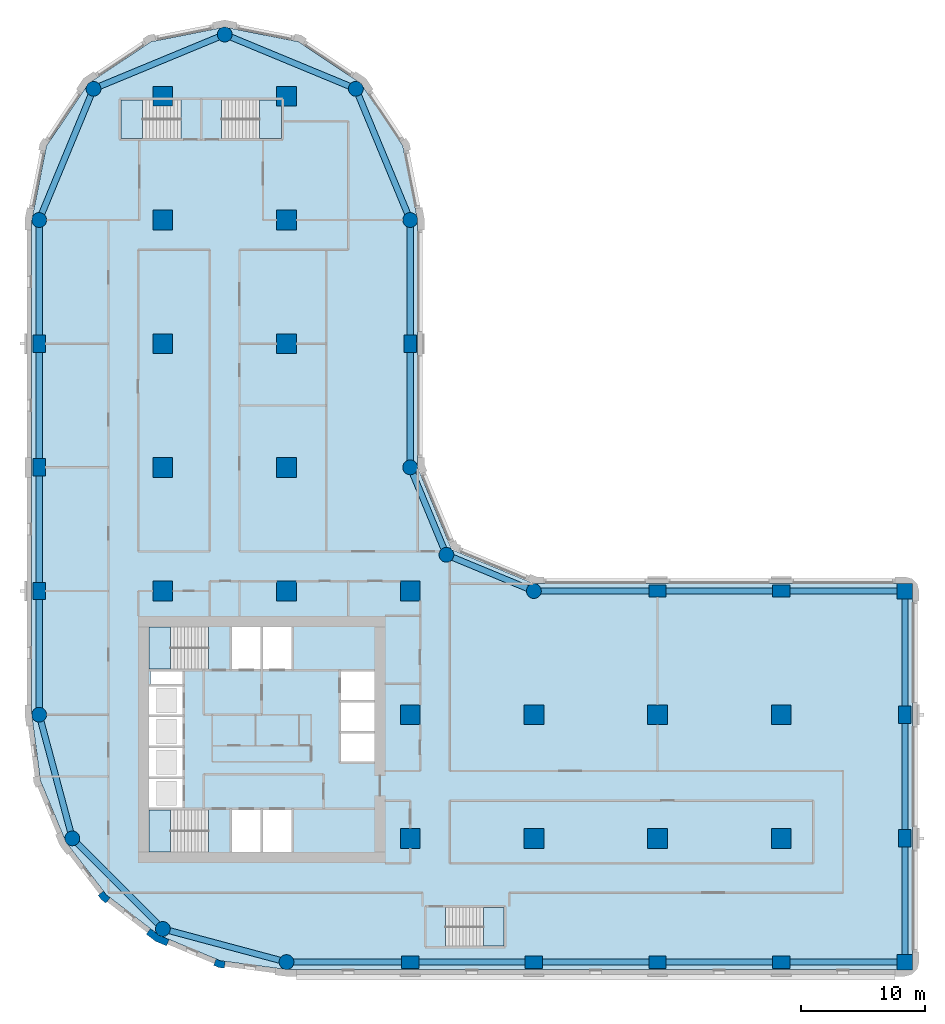
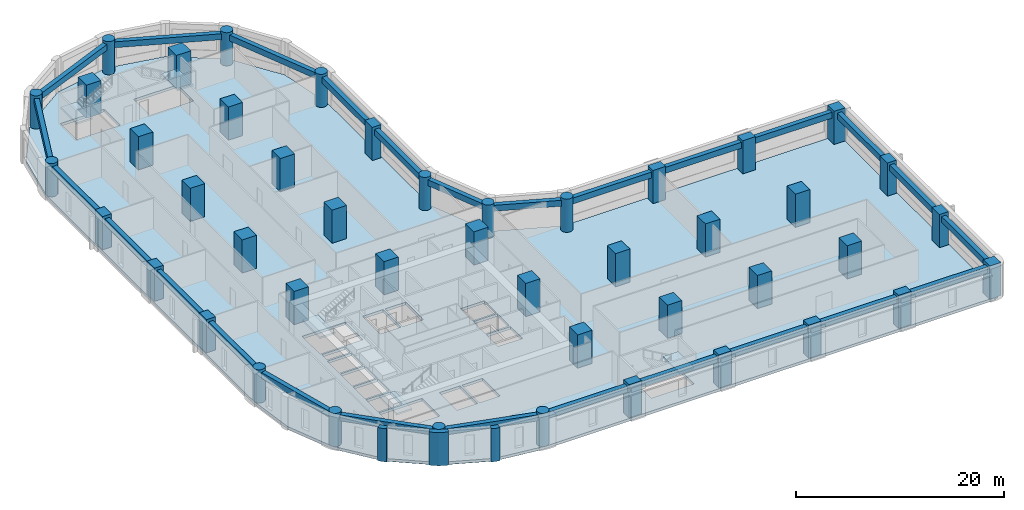
# One storey, part 1 of 10: 45 columns, 26 beams, 6 slabs, 3 walls, 5 elements without a shape of their own.
"""IFC4 building model written with IfcOpenShell, lengths in metres."""

from ifc_helpers import new_model, si_unit, direction, frame, origin, origin_2d, place, context, subcontext, project, spatial, polyline, rectangle, circle, outline, extrude, material, layer, layer_set, material_profile, profile_set, type_object, element, aggregate, save


model = new_model("IFC4")

# Units and contexts
model_context = context("Model", 3, precision=1e-05, world=origin(), true_north=direction((0.0, 1.0)))
body_context = subcontext(model_context, "Body", "Model", "MODEL_VIEW")
ifc_project = project(units=[si_unit("LENGTHUNIT", "METRE"), si_unit("AREAUNIT", "SQUARE_METRE"), si_unit("VOLUMEUNIT", "CUBIC_METRE"), si_unit("PLANEANGLEUNIT", "RADIAN"), si_unit("MASSUNIT", "GRAM", prefix="KILO")], contexts=[model_context])

# Site, building, storey
site_placement = place(None, origin())
site = spatial("IfcSite", under=ifc_project, at=site_placement, CompositionType="ELEMENT")
building_placement = place(site_placement, origin())
building = spatial("IfcBuilding", under=site, at=building_placement, Name="Qaws Garden Tower", CompositionType="ELEMENT")
storey_placement = place(building_placement, frame((0.0, 0.0, 62.699951171875)))
storey = spatial("IfcBuildingStorey", under=building, at=storey_placement, Name="L15", CompositionType="ELEMENT", Elevation=62.699951171875)

# Columns
ifc_material_1 = material(Name="Concrete C80", Category="concrete")
ifc_material_profile_1 = material_profile(ifc_material_1, rectangle(XDim=1.25, YDim=1.25, at=origin_2d()), Name="RC 1250x1250")
ifc_profile_set_1 = profile_set([ifc_material_profile_1], Name="Concrete C80")
column_type_1 = type_object("IfcColumnType", Name="Column RC 1250x1250 C80", PredefinedType="COLUMN", material=ifc_profile_set_1)
for number, where, z_axis, x_axis, name in (
    (1, (70.0, 0.0, 0.0), (0.0, 0.0, 1.0), (1.0, 0.0, 0.0), "Column L15-006"),
    (2, (70.0, 30.0, 0.0), (0.0, 0.0, 1.0), (1.0, 0.0, 0.0), "Column L15-009"),
):
    element("IfcColumn", number, at=place(storey_placement, frame(where, z_axis=z_axis, x_axis=x_axis)), inside=storey, type_object=column_type_1, Name=name, PredefinedType="COLUMN", context=body_context, shape_type="SweptSolid", body=[
        extrude(rectangle(XDim=1.25, YDim=1.25, at=origin_2d()), origin(), (0.0, 0.0, 1.0), 3.900146484375),
    ])
ifc_material_2 = material(Name="Concrete C80", Category="concrete")
ifc_material_profile_2 = material_profile(ifc_material_2, rectangle(XDim=1.39990234375, YDim=1.0, at=origin_2d()), Name="RC 1400x1000")
ifc_profile_set_2 = profile_set([ifc_material_profile_2], Name="Concrete C80")
column_type_2 = type_object("IfcColumnType", Name="Column RC 1400x1000 C80", PredefinedType="COLUMN", material=ifc_profile_set_2)
for number, where, z_axis, x_axis, name in (
    (3, (30.0, 0.0, 0.0), (0.0, 0.0, 1.0), (1.0, 0.0, 0.0), "Column L15-002"),
    (4, (40.0, 0.0, 0.0), (0.0, 0.0, 1.0), (1.0, 0.0, 0.0), "Column L15-003"),
    (5, (50.0, 0.0, 0.0), (0.0, 0.0, 1.0), (1.0, 0.0, 0.0), "Column L15-004"),
    (6, (60.0, 0.0, 0.0), (0.0, 0.0, 1.0), (1.0, 0.0, 0.0), "Column L15-005"),
    (7, (70.0, 10.0, 0.0), (0.0, 0.0, 1.0), (0.0, 1.0, 0.0), "Column L15-007"),
    (8, (70.0, 20.0, 0.0), (0.0, 0.0, 1.0), (0.0, 1.0, 0.0), "Column L15-008"),
    (9, (60.0, 30.0, 0.0), (0.0, 0.0, 1.0), (1.0, 0.0, 0.0), "Column L15-010"),
    (10, (50.0, 30.0, 0.0), (0.0, 0.0, 1.0), (1.0, 0.0, 0.0), "Column L15-011"),
    (11, (30.0, 50.0, 0.0), (0.0, 0.0, 1.0), (0.0, 1.0, 0.0), "Column L15-015"),
    (12, (0.0, 50.0, 0.0), (0.0, 0.0, 1.0), (0.0, 1.0, 0.0), "Column L15-021"),
    (13, (0.0, 40.0, 0.0), (0.0, 0.0, 1.0), (0.0, 1.0, 0.0), "Column L15-022"),
    (14, (0.0, 30.0, 0.0), (0.0, 0.0, 1.0), (0.0, 1.0, 0.0), "Column L15-023"),
):
    element("IfcColumn", number, at=place(storey_placement, frame(where, z_axis=z_axis, x_axis=x_axis)), inside=storey, type_object=column_type_2, Name=name, PredefinedType="COLUMN", context=body_context, shape_type="SweptSolid", body=[
        extrude(rectangle(XDim=1.39990234375, YDim=1.0, at=origin_2d()), origin(), (0.0, 0.0, 1.0), 3.900146484375),
    ])
ifc_material_3 = material(Name="Concrete C80", Category="concrete")
ifc_material_profile_3 = material_profile(ifc_material_3, rectangle(XDim=1.60009765625, YDim=1.60009765625, at=origin_2d()), Name="RC 1600x1600")
ifc_profile_set_3 = profile_set([ifc_material_profile_3], Name="Concrete C80")
column_type_3 = type_object("IfcColumnType", Name="Column RC 1600x1600 C80", PredefinedType="COLUMN", material=ifc_profile_set_3)
for number, where, z_axis, x_axis, name in (
    (15, (10.0, 30.0, 0.0), (0.0, 0.0, 1.0), (1.0, 0.0, 0.0), "Column L15-027"),
    (16, (10.0, 40.0, 0.0), (0.0, 0.0, 1.0), (1.0, 0.0, 0.0), "Column L15-028"),
    (17, (10.0, 50.0, 0.0), (0.0, 0.0, 1.0), (1.0, 0.0, 0.0), "Column L15-029"),
    (18, (10.0, 60.0, 0.0), (0.0, 0.0, 1.0), (1.0, 0.0, 0.0), "Column L15-030"),
    (19, (10.0, 70.0, 0.0), (0.0, 0.0, 1.0), (1.0, 0.0, 0.0), "Column L15-031"),
    (20, (20.0, 30.0, 0.0), (0.0, 0.0, 1.0), (1.0, 0.0, 0.0), "Column L15-032"),
    (21, (20.0, 40.0, 0.0), (0.0, 0.0, 1.0), (1.0, 0.0, 0.0), "Column L15-033"),
    (22, (20.0, 50.0, 0.0), (0.0, 0.0, 1.0), (1.0, 0.0, 0.0), "Column L15-034"),
    (23, (20.0, 60.0, 0.0), (0.0, 0.0, 1.0), (1.0, 0.0, 0.0), "Column L15-035"),
    (24, (20.0, 70.0, 0.0), (0.0, 0.0, 1.0), (1.0, 0.0, 0.0), "Column L15-036"),
    (25, (30.0, 10.0, 0.0), (0.0, 0.0, 1.0), (1.0, 0.0, 0.0), "Column L15-037"),
    (26, (30.0, 20.0, 0.0), (0.0, 0.0, 1.0), (1.0, 0.0, 0.0), "Column L15-038"),
    (27, (30.0, 30.0, 0.0), (0.0, 0.0, 1.0), (1.0, 0.0, 0.0), "Column L15-039"),
    (28, (40.0, 10.0, 0.0), (0.0, 0.0, 1.0), (1.0, 0.0, 0.0), "Column L15-040"),
    (29, (40.0, 20.0, 0.0), (0.0, 0.0, 1.0), (1.0, 0.0, 0.0), "Column L15-041"),
    (30, (50.0, 10.0, 0.0), (0.0, 0.0, 1.0), (1.0, 0.0, 0.0), "Column L15-042"),
    (31, (50.0, 20.0, 0.0), (0.0, 0.0, 1.0), (1.0, 0.0, 0.0), "Column L15-043"),
    (32, (60.0, 10.0, 0.0), (0.0, 0.0, 1.0), (1.0, 0.0, 0.0), "Column L15-044"),
    (33, (60.0, 20.0, 0.0), (0.0, 0.0, 1.0), (1.0, 0.0, 0.0), "Column L15-045"),
):
    element("IfcColumn", number, at=place(storey_placement, frame(where, z_axis=z_axis, x_axis=x_axis)), inside=storey, type_object=column_type_3, Name=name, PredefinedType="COLUMN", context=body_context, shape_type="SweptSolid", body=[
        extrude(rectangle(XDim=1.60009765625, YDim=1.60009765625, at=origin_2d()), origin(), (0.0, 0.0, 1.0), 3.900146484375),
    ])
ifc_material_4 = material(Name="Concrete C80", Category="concrete")
ifc_material_profile_4 = material_profile(ifc_material_4, circle(Radius=0.60009765625, at=origin_2d()), Name="RC D1200")
ifc_profile_set_4 = profile_set([ifc_material_profile_4], Name="Concrete C80")
column_type_4 = type_object("IfcColumnType", Name="Column RC D1200 C80", PredefinedType="COLUMN", material=ifc_profile_set_4)
for number, where, z_axis, x_axis, name in (
    (34, (20.0, 0.0, 0.0), (0.0, 0.0, 1.0), (1.0, 0.0, 0.0), "Column L15-001"),
    (35, (40.0, 30.0, 0.0), (0.0, 0.0, 1.0), (1.0, 0.0, 0.0), "Column L15-012"),
    (36, (32.928955078125, 32.928955078125, 0.0), (0.0, 0.0, 1.0), (1.0, 0.0, 0.0), "Column L15-013"),
    (37, (30.0, 40.0, 0.0), (0.0, 0.0, 1.0), (1.0, 0.0, 0.0), "Column L15-014"),
    (38, (30.0, 60.0, 0.0), (0.0, 0.0, 1.0), (1.0, 0.0, 0.0), "Column L15-016"),
    (39, (25.606689453125, 70.606689453125, 0.0), (0.0, 0.0, 1.0), (1.0, 0.0, 0.0), "Column L15-017"),
    (40, (15.0, 75.0, 0.0), (0.0, 0.0, 1.0), (1.0, 0.0, 0.0), "Column L15-018"),
    (41, (4.393310546875, 70.606689453125, 0.0), (0.0, 0.0, 1.0), (1.0, 0.0, 0.0), "Column L15-019"),
    (42, (0.0, 60.0, 0.0), (0.0, 0.0, 1.0), (1.0, 0.0, 0.0), "Column L15-020"),
    (43, (0.0, 20.0, 0.0), (0.0, 0.0, 1.0), (1.0, 0.0, 0.0), "Column L15-024"),
    (44, (2.679443359375, 10.0, 0.0), (0.0, 0.0, 1.0), (1.0, 0.0, 0.0), "Column L15-025"),
    (45, (10.0, 2.679443359375, 0.0), (0.0, 0.0, 1.0), (1.0, 0.0, 0.0), "Column L15-026"),
):
    element("IfcColumn", number, at=place(storey_placement, frame(where, z_axis=z_axis, x_axis=x_axis)), inside=storey, type_object=column_type_4, Name=name, PredefinedType="COLUMN", context=body_context, shape_type="SweptSolid", body=[
        extrude(circle(Radius=0.60009765625, at=origin_2d()), origin(), (0.0, 0.0, 1.0), 3.900146484375),
    ])

# Beams
ifc_material_5 = material(Name="Concrete C45", Category="concrete")
ifc_material_profile_5 = material_profile(ifc_material_5, rectangle(XDim=0.5, YDim=0.699951171875, at=origin_2d()), Name="RC 500x700")
ifc_profile_set_5 = profile_set([ifc_material_profile_5], Name="Concrete C45")
beam_type = type_object("IfcBeamType", Name="Spandrel beam RC 500x700 C45", PredefinedType="SPANDREL", material=ifc_profile_set_5)
for number, where, z_axis, x_axis, name in (
    (46, (20.0, 0.0, 3.22998046875), (1.0, 0.0, 0.0), (0.0, 1.0, 0.0), "Spandrel beam L15-001"),
    (47, (30.0, 0.0, 3.22998046875), (1.0, 0.0, 0.0), (0.0, 1.0, 0.0), "Spandrel beam L15-002"),
    (48, (40.0, 0.0, 3.22998046875), (1.0, 0.0, 0.0), (0.0, 1.0, 0.0), "Spandrel beam L15-003"),
    (49, (50.0, 0.0, 3.22998046875), (1.0, 0.0, 0.0), (0.0, 1.0, 0.0), "Spandrel beam L15-004"),
    (50, (60.0, 0.0, 3.22998046875), (1.0, 0.0, 0.0), (0.0, 1.0, 0.0), "Spandrel beam L15-005"),
    (51, (70.0, 0.0, 3.22998046875), (0.0, 1.0, 0.0), (-1.0, 0.0, 0.0), "Spandrel beam L15-006"),
    (52, (70.0, 10.0, 3.22998046875), (0.0, 1.0, 0.0), (-1.0, 0.0, 0.0), "Spandrel beam L15-007"),
    (53, (70.0, 20.0, 3.22998046875), (0.0, 1.0, 0.0), (-1.0, 0.0, 0.0), "Spandrel beam L15-008"),
    (54, (70.0, 30.0, 3.22998046875), (-1.0, 0.0, 0.0), (0.0, -1.0, 0.0), "Spandrel beam L15-009"),
    (55, (60.0, 30.0, 3.22998046875), (-1.0, 0.0, 0.0), (0.0, -1.0, 0.0), "Spandrel beam L15-010"),
    (56, (50.0, 30.0, 3.22998046875), (-1.0, 0.0, 0.0), (0.0, -1.0, 0.0), "Spandrel beam L15-011"),
):
    element("IfcBeam", number, at=place(storey_placement, frame(where, z_axis=z_axis, x_axis=x_axis)), inside=storey, type_object=beam_type, Name=name, PredefinedType="SPANDREL", context=body_context, shape_type="SweptSolid", body=[
        extrude(rectangle(XDim=0.5, YDim=0.699951171875, at=origin_2d()), origin(), (0.0, 0.0, 1.0), 10.0),
    ])
for number, where, z_axis, x_axis, name in (
    (57, (40.0, 30.0, 3.22998046875), (-0.923878037141, 0.382687042488, 0.0), (-0.382687042488, -0.923878037141, 0.0), "Spandrel beam L15-012"),
    (58, (32.928955078125, 32.928955078125, 3.22998046875), (-0.382687042488, 0.923878037141, 0.0), (-0.923878037141, -0.382687042488, 0.0), "Spandrel beam L15-013"),
):
    element("IfcBeam", number, at=place(storey_placement, frame(where, z_axis=z_axis, x_axis=x_axis)), inside=storey, type_object=beam_type, Name=name, PredefinedType="SPANDREL", context=body_context, shape_type="SweptSolid", body=[
        extrude(rectangle(XDim=0.5, YDim=0.699951171875, at=origin_2d()), origin(), (0.0, 0.0, 1.0), 7.653564453125),
    ])
for number, where, z_axis, x_axis, name in (
    (59, (30.0, 40.0, 3.22998046875), (0.0, 1.0, 0.0), (-1.0, 0.0, 0.0), "Spandrel beam L15-014"),
    (60, (30.0, 50.0, 3.22998046875), (0.0, 1.0, 0.0), (-1.0, 0.0, 0.0), "Spandrel beam L15-015"),
):
    element("IfcBeam", number, at=place(storey_placement, frame(where, z_axis=z_axis, x_axis=x_axis)), inside=storey, type_object=beam_type, Name=name, PredefinedType="SPANDREL", context=body_context, shape_type="SweptSolid", body=[
        extrude(rectangle(XDim=0.5, YDim=0.699951171875, at=origin_2d()), origin(), (0.0, 0.0, 1.0), 10.0),
    ])
for number, where, z_axis, x_axis, name in (
    (61, (30.0, 60.0, 3.22998046875), (-0.382674207535, 0.923883353507, 0.0), (-0.923883353507, -0.382674207535, 0.0), "Spandrel beam L15-016"),
    (62, (25.606689453125, 70.606689453125, 3.22998046875), (-0.923883353507, 0.382674207535, 0.0), (-0.382674207535, -0.923883353507, 0.0), "Spandrel beam L15-017"),
    (63, (15.0, 75.0, 3.22998046875), (-0.923883353507, -0.382674207535, 0.0), (0.382674207535, -0.923883353507, 0.0), "Spandrel beam L15-018"),
    (64, (4.393310546875, 70.606689453125, 3.22998046875), (-0.382674207535, -0.923883353507, 0.0), (0.923883353507, -0.382674207535, 0.0), "Spandrel beam L15-019"),
):
    element("IfcBeam", number, at=place(storey_placement, frame(where, z_axis=z_axis, x_axis=x_axis)), inside=storey, type_object=beam_type, Name=name, PredefinedType="SPANDREL", context=body_context, shape_type="SweptSolid", body=[
        extrude(rectangle(XDim=0.5, YDim=0.699951171875, at=origin_2d()), origin(), (0.0, 0.0, 1.0), 11.48046875),
    ])
for number, where, z_axis, x_axis, name in (
    (65, (0.0, 60.0, 3.22998046875), (0.0, -1.0, 0.0), (1.0, 0.0, 0.0), "Spandrel beam L15-020"),
    (66, (0.0, 50.0, 3.22998046875), (0.0, -1.0, 0.0), (1.0, 0.0, 0.0), "Spandrel beam L15-021"),
    (67, (0.0, 40.0, 3.22998046875), (0.0, -1.0, 0.0), (1.0, 0.0, 0.0), "Spandrel beam L15-022"),
    (68, (0.0, 30.0, 3.22998046875), (0.0, -1.0, 0.0), (1.0, 0.0, 0.0), "Spandrel beam L15-023"),
):
    element("IfcBeam", number, at=place(storey_placement, frame(where, z_axis=z_axis, x_axis=x_axis)), inside=storey, type_object=beam_type, Name=name, PredefinedType="SPANDREL", context=body_context, shape_type="SweptSolid", body=[
        extrude(rectangle(XDim=0.5, YDim=0.699951171875, at=origin_2d()), origin(), (0.0, 0.0, 1.0), 10.0),
    ])
for number, where, z_axis, x_axis, name in (
    (69, (0.0, 20.0, 3.22998046875), (0.25881466832, -0.965926999034, 0.0), (0.965926999034, 0.25881466832, 0.0), "Spandrel beam L15-024"),
    (70, (2.679443359375, 10.0, 3.22998046875), (0.707106781187, -0.707106781187, 0.0), (0.707106781187, 0.707106781187, 0.0), "Spandrel beam L15-025"),
    (71, (10.0, 2.679443359375, 3.22998046875), (0.965926999034, -0.25881466832, 0.0), (0.25881466832, 0.965926999034, 0.0), "Spandrel beam L15-026"),
):
    element("IfcBeam", number, at=place(storey_placement, frame(where, z_axis=z_axis, x_axis=x_axis)), inside=storey, type_object=beam_type, Name=name, PredefinedType="SPANDREL", context=body_context, shape_type="SweptSolid", body=[
        extrude(rectangle(XDim=0.5, YDim=0.699951171875, at=origin_2d()), origin(), (0.0, 0.0, 1.0), 10.352783203125),
    ])

# Slab
ifc_material_6 = material(Name="Concrete C40", Category="concrete")
ifc_layer_1 = layer(ifc_material_6, 0.320068359375)
ifc_layer_set_1 = layer_set([ifc_layer_1], Name="Concrete C40")
slab_type_1 = type_object("IfcSlabType", Name="Floor slab 320 C40", PredefinedType="FLOOR", material=ifc_layer_set_1)
slab_1_placement = place(storey_placement, frame((0.0, 0.0, -0.320068359375)))
element("IfcSlab", 72, at=slab_1_placement, inside=storey, type_object=slab_type_1, Name="Floor slab L15", PredefinedType="FLOOR", context=body_context, shape_type="SweptSolid", body=[
    extrude(outline(polyline([(0.101806640625, 14.668212890625), (-0.60009765625, 20.0), (-0.60009765625, 30.60009765625), (-0.60009765625, 60.0), (-0.60009765625, 60.0), (0.58740234375, 65.969970703125), (3.968994140625, 71.031005859375), (9.030029296875, 74.41259765625), (15.0, 75.60009765625), (20.969970703125, 74.41259765625), (26.031005859375, 71.031005859375), (29.41259765625, 65.969970703125), (30.60009765625, 60.0), (30.60009765625, 40.0), (33.353271484375, 33.353271484375), (40.0, 30.60009765625), (70.0, 30.60009765625), (70.42431640625, 30.42431640625), (70.60009765625, 30.0), (70.60009765625, 0.0), (70.42431640625, -0.42431640625), (70.0, -0.60009765625), (30.60009765625, -0.60009765625), (20.0, -0.60009765625), (14.668212890625, 0.101806640625), (9.699951171875, 2.159912109375), (5.43359375, 5.43359375), (2.159912109375, 9.699951171875), (0.101806640625, 14.668212890625)]), holes=[polyline([(13.699462890625, 12.300048828125), (8.89990234375, 12.300048828125), (8.89990234375, 8.89990234375), (13.699462890625, 8.89990234375), (13.699462890625, 12.300048828125)]), polyline([(17.89990234375, 12.300048828125), (15.60009765625, 12.300048828125), (15.60009765625, 8.89990234375), (17.89990234375, 8.89990234375), (17.89990234375, 12.300048828125)]), polyline([(11.60009765625, 14.800048828125), (8.89990234375, 14.800048828125), (8.89990234375, 12.5), (11.60009765625, 12.5), (11.60009765625, 14.800048828125)]), polyline([(11.60009765625, 17.300048828125), (8.89990234375, 17.300048828125), (8.89990234375, 15.0), (11.60009765625, 15.0), (11.60009765625, 17.300048828125)]), polyline([(11.60009765625, 19.800048828125), (8.89990234375, 19.800048828125), (8.89990234375, 17.5), (11.60009765625, 17.5), (11.60009765625, 19.800048828125)]), polyline([(11.60009765625, 22.300048828125), (8.89990234375, 22.300048828125), (8.89990234375, 20.0), (11.60009765625, 20.0), (11.60009765625, 22.300048828125)]), polyline([(11.60009765625, 23.5), (9.0, 23.5), (9.0, 22.5), (11.60009765625, 22.5), (11.60009765625, 23.5)]), polyline([(13.699462890625, 27.10009765625), (8.89990234375, 27.10009765625), (8.89990234375, 23.699951171875), (13.699462890625, 23.699951171875), (13.699462890625, 27.10009765625)]), polyline([(11.449462890625, 69.699951171875), (6.60009765625, 69.699951171875), (6.60009765625, 66.60009765625), (11.449462890625, 66.60009765625), (11.449462890625, 69.699951171875)]), polyline([(37.60009765625, 4.39990234375), (32.8505859375, 4.39990234375), (32.8505859375, 1.300048828125), (37.60009765625, 1.300048828125), (37.60009765625, 4.39990234375)]), polyline([(20.39990234375, 12.300048828125), (18.10009765625, 12.300048828125), (18.10009765625, 8.89990234375), (20.39990234375, 8.89990234375), (20.39990234375, 12.300048828125)]), polyline([(27.10009765625, 18.5), (24.39990234375, 18.5), (24.39990234375, 16.199951171875), (27.10009765625, 16.199951171875), (27.10009765625, 18.5)]), polyline([(27.10009765625, 21.0), (24.39990234375, 21.0), (24.39990234375, 18.699951171875), (27.10009765625, 18.699951171875), (27.10009765625, 21.0)]), polyline([(27.10009765625, 23.5), (24.39990234375, 23.5), (24.39990234375, 21.199951171875), (27.10009765625, 21.199951171875), (27.10009765625, 23.5)]), polyline([(17.89990234375, 27.10009765625), (15.60009765625, 27.10009765625), (15.60009765625, 23.699951171875), (17.89990234375, 23.699951171875), (17.89990234375, 27.10009765625)]), polyline([(20.39990234375, 23.699951171875), (20.39990234375, 27.10009765625), (18.10009765625, 27.10009765625), (18.10009765625, 23.699951171875), (20.39990234375, 23.699951171875)]), polyline([(19.60009765625, 66.60009765625), (19.60009765625, 69.699951171875), (14.75048828125, 69.699951171875), (14.75048828125, 66.60009765625), (19.60009765625, 66.60009765625)])]), origin(), (0.0, 0.0, 1.0), 0.320068359375),
])

# Stair, slab
ifc_material_7 = material(Name="Concrete C40", Category="concrete")
stair_type_1 = type_object("IfcStairType", Name="Exit stair 1500", PredefinedType="HALF_TURN_STAIR", material=ifc_material_7)
placement_1 = place(storey_placement, origin())
stair_1 = element("IfcStair", 73, at=placement_1, inside=storey, type_object=stair_type_1, Name="Stair 1", PredefinedType="HALF_TURN_STAIR")
ifc_material_8 = material(Name="Concrete C40", Category="concrete")
ifc_layer_2 = layer(ifc_material_8, 0.199951171875)
ifc_layer_set_2 = layer_set([ifc_layer_2], Name="Concrete C40")
slab_type_2 = type_object("IfcSlabType", Name="Stair landing 200", PredefinedType="LANDING", material=ifc_layer_set_2)
placement_2 = place(storey_placement, frame((0.0, 0.0, 1.75)))
slab_2 = element("IfcSlab", 74, at=placement_2, type_object=slab_type_2, Name="ST1 landing 1", PredefinedType="LANDING", context=body_context, shape_type="SweptSolid", body=[
    extrude(outline(polyline([(8.89990234375, 8.89990234375), (10.6201171875, 8.89990234375), (10.6201171875, 12.300048828125), (8.89990234375, 12.300048828125), (8.89990234375, 8.89990234375)])), origin(), (0.0, 0.0, 1.0), 0.199951171875),
])
aggregate(stair_1, [slab_2])

stair_2 = element("IfcStair", 75, at=placement_1, inside=storey, type_object=stair_type_1, Name="Stair 4", PredefinedType="HALF_TURN_STAIR")
slab_3 = element("IfcSlab", 76, at=placement_2, type_object=slab_type_2, Name="ST4 landing 1", PredefinedType="LANDING", context=body_context, shape_type="SweptSolid", body=[
    extrude(outline(polyline([(8.89990234375, 23.699951171875), (10.6201171875, 23.699951171875), (10.6201171875, 27.10009765625), (8.89990234375, 27.10009765625), (8.89990234375, 23.699951171875)])), origin(), (0.0, 0.0, 1.0), 0.199951171875),
])
aggregate(stair_2, [slab_3])

ifc_material_9 = material(Name="Concrete C40", Category="concrete")
stair_type_2 = type_object("IfcStairType", Name="Exit stair 1350", PredefinedType="HALF_TURN_STAIR", material=ifc_material_9)
stair_3 = element("IfcStair", 77, at=placement_1, inside=storey, type_object=stair_type_2, Name="Stair 5", PredefinedType="HALF_TURN_STAIR")
slab_4 = element("IfcSlab", 78, at=placement_2, type_object=slab_type_2, Name="ST5 landing 1", PredefinedType="LANDING", context=body_context, shape_type="SweptSolid", body=[
    extrude(outline(polyline([(35.929931640625, 1.300048828125), (37.60009765625, 1.300048828125), (37.60009765625, 4.39990234375), (35.929931640625, 4.39990234375), (35.929931640625, 1.300048828125)])), origin(), (0.0, 0.0, 1.0), 0.199951171875),
])
aggregate(stair_3, [slab_4])

stair_4 = element("IfcStair", 79, at=placement_1, inside=storey, type_object=stair_type_2, Name="Stair 6", PredefinedType="HALF_TURN_STAIR")
slab_5 = element("IfcSlab", 80, at=placement_2, type_object=slab_type_2, Name="ST6 landing 1", PredefinedType="LANDING", context=body_context, shape_type="SweptSolid", body=[
    extrude(outline(polyline([(6.60009765625, 66.60009765625), (8.3701171875, 66.60009765625), (8.3701171875, 69.699951171875), (6.60009765625, 69.699951171875), (6.60009765625, 66.60009765625)])), origin(), (0.0, 0.0, 1.0), 0.199951171875),
])
aggregate(stair_4, [slab_5])

stair_5 = element("IfcStair", 81, at=placement_1, inside=storey, type_object=stair_type_2, Name="Stair 7", PredefinedType="HALF_TURN_STAIR")
slab_6 = element("IfcSlab", 82, at=placement_2, type_object=slab_type_2, Name="ST7 landing 1", PredefinedType="LANDING", context=body_context, shape_type="SweptSolid", body=[
    extrude(outline(polyline([(17.830078125, 66.60009765625), (19.60009765625, 66.60009765625), (19.60009765625, 69.699951171875), (17.830078125, 69.699951171875), (17.830078125, 66.60009765625)])), origin(), (0.0, 0.0, 1.0), 0.199951171875),
])
aggregate(stair_5, [slab_6])

# Walls
ifc_material_10 = material(Name="Clay facing brick masonry", Category="masonry")
ifc_layer_3 = layer(ifc_material_10, 0.550048828125)
ifc_layer_set_3 = layer_set([ifc_layer_3], Name="Clay facing brick masonry")
wall_type_1 = type_object("IfcWallType", Name="Brick kink pier 550 x 600", PredefinedType="SOLIDWALL", material=ifc_layer_set_3)
element("IfcWall", 83, at=placement_1, inside=storey, type_object=wall_type_1, Name="E-L15-pier-30", PredefinedType="SOLIDWALL", context=body_context, shape_type="SweptSolid", body=[
    extrude(outline(polyline([(4.8818359375, 5.487060546875), (4.762939453125, 5.395751953125), (5.03759765625, 5.03759765625), (5.395751953125, 4.762939453125), (5.487060546875, 4.8818359375), (5.730712890625, 5.19921875), (5.429931640625, 5.429931640625), (5.19921875, 5.730712890625), (4.8818359375, 5.487060546875)])), origin(), (0.0, 0.0, 1.0), 3.900146484375),
])
element("IfcWall", 84, at=placement_1, inside=storey, type_object=wall_type_1, Name="E-L15-pier-32", PredefinedType="SOLIDWALL", context=body_context, shape_type="SweptSolid", body=[
    extrude(outline(polyline([(14.163818359375, -0.127685546875), (14.1064453125, -0.26611328125), (14.5234375, -0.43896484375), (14.970947265625, -0.497802734375), (14.990478515625, -0.34912109375), (15.042724609375, 0.04736328125), (14.6669921875, 0.096923828125), (14.31689453125, 0.241943359375), (14.163818359375, -0.127685546875)])), origin(), (0.0, 0.0, 1.0), 3.900146484375),
])
ifc_material_11 = material(Name="Clay facing brick masonry", Category="masonry")
ifc_layer_4 = layer(ifc_material_11, 0.550048828125)
ifc_layer_set_4 = layer_set([ifc_layer_4], Name="Clay facing brick masonry")
wall_type_2 = type_object("IfcWallType", Name="Brick pier 550 x 1600", PredefinedType="SOLIDWALL", material=ifc_layer_set_4)
element("IfcWall", 85, at=placement_1, inside=storey, type_object=wall_type_2, Name="E-L15-pier-31", PredefinedType="SOLIDWALL", context=body_context, shape_type="SweptSolid", body=[
    extrude(outline(polyline([(8.756591796875, 2.373046875), (8.665283203125, 2.254150390625), (9.419921875, 1.675048828125), (10.299072265625, 1.310791015625), (10.3564453125, 1.449462890625), (10.509521484375, 1.819091796875), (9.697509765625, 2.1552734375), (9.0, 2.6904296875), (8.756591796875, 2.373046875)])), origin(), (0.0, 0.0, 1.0), 3.900146484375),
])

save(model, "model.ifc")
